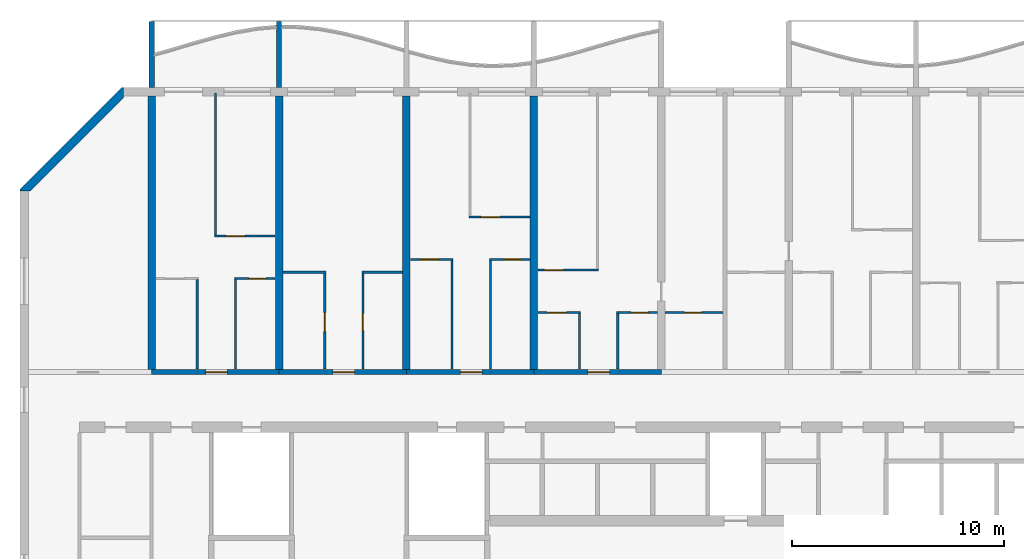
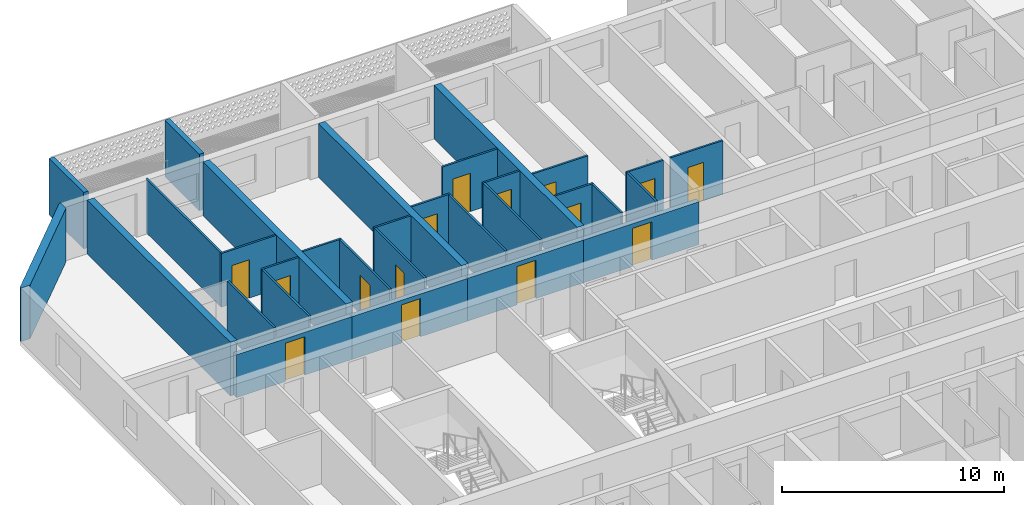
# One storey, part 9 of 24: 31 walls, 15 doors, 15 openings.
"""IFC4 building model written with IfcOpenShell, lengths in metres."""

from ifc_helpers import new_model, si_unit, direction, frame, frame_2d, origin, place, context, subcontext, project, spatial, polyline, rectangle, outline, extrude, source, transform, mapped, material, layer, layer_set, type_object, element, fill, save


model = new_model("IFC4")

# Units and contexts
model_context = context("Model", 3, precision=1e-05, world=origin(), true_north=direction((0.0, 1.0)))
body_context = subcontext(model_context, "Body", "Model", "MODEL_VIEW")
ifc_project = project(units=[si_unit("LENGTHUNIT", "METRE"), si_unit("AREAUNIT", "SQUARE_METRE"), si_unit("VOLUMEUNIT", "CUBIC_METRE"), si_unit("PLANEANGLEUNIT", "RADIAN"), si_unit("MASSUNIT", "GRAM", prefix="KILO")], contexts=[model_context])

# Site, building, storey
site_placement = place(None, origin())
site = spatial("IfcSite", under=ifc_project, at=site_placement, CompositionType="ELEMENT")
building_placement = place(site_placement, origin())
building = spatial("IfcBuilding", under=site, at=building_placement, Name="Poui Terraces", CompositionType="ELEMENT")
storey_placement = place(building_placement, frame((0.0, 0.0, 112.5)))
storey = spatial("IfcBuildingStorey", under=building, at=storey_placement, Name="L31", CompositionType="ELEMENT", Elevation=112.5)

# Wall, opening, door
ifc_material_1 = material(Name="Concrete 65 MPa", Category="concrete")
ifc_layer_1 = layer(ifc_material_1, 0.25)
ifc_layer_set_1 = layer_set([ifc_layer_1], Name="Concrete 65 MPa")
wall_type_1 = type_object("IfcWallType", Name="CORRIDOR WALL 250 65MPa", PredefinedType="SHEAR", material=ifc_layer_set_1)
wall_1_placement = place(storey_placement, frame((18.0, 30.39990234375, 0.0), z_axis=(0.0, 0.0, 1.0), x_axis=(1.0, 0.0, 0.0)))
wall_1 = element("IfcWall", 1, at=wall_1_placement, inside=storey, type_object=wall_type_1, Name="CORRIDOR WALL LINE E BAY 2", PredefinedType="SHEAR", context=body_context, shape_type="SweptSolid", body=[
    extrude(rectangle(XDim=6.0, YDim=0.25, at=frame_2d((3.0, 0.0))), origin(), (0.0, 0.0, 1.0), 2.35009765625),
])
opening_1_placement = place(wall_1_placement, frame((2.550048828125, 0.0, 0.0)))
opening_1 = element("IfcOpeningElement", 2, at=opening_1_placement, cuts=wall_1, Name="Opening FD30S", PredefinedType="OPENING", context=body_context, shape_type="SweptSolid", body=[
    extrude(rectangle(XDim=1.0, YDim=2.10009765625, at=frame_2d((0.5, 1.050048828125))), frame((0.0, 0.135009765625, 0.0), z_axis=(0.0, -1.0, 0.0), x_axis=(1.0, 0.0, 0.0)), (0.0, 0.0, 1.0), 0.27001953125),
])
ifc_material_2 = material(Name="Steel fire door", Category="steel")
door_type_1 = type_object("IfcDoorType", Name="FLAT ENTRANCE DOOR 1000 X 2100", OperationType="NOTDEFINED", PredefinedType="DOOR", material=ifc_material_2)
door_1_placement = place(opening_1_placement, origin())
door_1 = element("IfcDoor", 3, at=door_1_placement, inside=storey, type_object=door_type_1, Name="FLAT ENTRANCE DOOR 032", OperationType="SINGLE_SWING_RIGHT", OverallHeight=2.10009765625, OverallWidth=1.0, PredefinedType="DOOR", context=body_context, shape_type="SweptSolid", body=[
    extrude(rectangle(XDim=1.0, YDim=2.10009765625, at=frame_2d((0.5, 1.050048828125))), frame((0.0, 0.02490234375, 0.0), z_axis=(0.0, -1.0, 0.0), x_axis=(1.0, 0.0, 0.0)), (0.0, 0.0, 1.0), 0.050048828125),
])
fill(opening_1, door_1)

wall_2_placement = place(storey_placement, frame((24.0, 30.39990234375, 0.0), z_axis=(0.0, 0.0, 1.0), x_axis=(1.0, 0.0, 0.0)))
wall_2 = element("IfcWall", 4, at=wall_2_placement, inside=storey, type_object=wall_type_1, Name="CORRIDOR WALL LINE E BAY 3", PredefinedType="SHEAR", context=body_context, shape_type="SweptSolid", body=[
    extrude(rectangle(XDim=6.0, YDim=0.25, at=frame_2d((3.0, 0.0))), origin(), (0.0, 0.0, 1.0), 2.35009765625),
])
opening_2_placement = place(wall_2_placement, frame((2.550048828125, 0.0, 0.0)))
opening_2 = element("IfcOpeningElement", 5, at=opening_2_placement, cuts=wall_2, Name="Opening FD30S", PredefinedType="OPENING", context=body_context, shape_type="SweptSolid", body=[
    extrude(rectangle(XDim=1.0, YDim=2.10009765625, at=frame_2d((0.5, 1.050048828125))), frame((0.0, 0.135009765625, 0.0), z_axis=(0.0, -1.0, 0.0), x_axis=(1.0, 0.0, 0.0)), (0.0, 0.0, 1.0), 0.27001953125),
])
door_2_placement = place(opening_2_placement, origin())
door_2 = element("IfcDoor", 6, at=door_2_placement, inside=storey, type_object=door_type_1, Name="FLAT ENTRANCE DOOR 036", OperationType="SINGLE_SWING_RIGHT", OverallHeight=2.10009765625, OverallWidth=1.0, PredefinedType="DOOR", context=body_context, shape_type="SweptSolid", body=[
    extrude(rectangle(XDim=1.0, YDim=2.10009765625, at=frame_2d((0.5, 1.050048828125))), frame((0.0, 0.02490234375, 0.0), z_axis=(0.0, -1.0, 0.0), x_axis=(1.0, 0.0, 0.0)), (0.0, 0.0, 1.0), 0.050048828125),
])
fill(opening_2, door_2)

wall_3_placement = place(storey_placement, frame((30.0, 30.39990234375, 0.0), z_axis=(0.0, 0.0, 1.0), x_axis=(1.0, 0.0, 0.0)))
wall_3 = element("IfcWall", 7, at=wall_3_placement, inside=storey, type_object=wall_type_1, Name="CORRIDOR WALL LINE E BAY 4", PredefinedType="SHEAR", context=body_context, shape_type="SweptSolid", body=[
    extrude(rectangle(XDim=6.0, YDim=0.25, at=frame_2d((3.0, 0.0))), origin(), (0.0, 0.0, 1.0), 2.35009765625),
])
opening_3_placement = place(wall_3_placement, frame((2.550048828125, 0.0, 0.0)))
opening_3 = element("IfcOpeningElement", 8, at=opening_3_placement, cuts=wall_3, Name="Opening FD30S", PredefinedType="OPENING", context=body_context, shape_type="SweptSolid", body=[
    extrude(rectangle(XDim=1.0, YDim=2.10009765625, at=frame_2d((0.5, 1.050048828125))), frame((0.0, 0.135009765625, 0.0), z_axis=(0.0, -1.0, 0.0), x_axis=(1.0, 0.0, 0.0)), (0.0, 0.0, 1.0), 0.27001953125),
])
door_3_placement = place(opening_3_placement, origin())
door_3 = element("IfcDoor", 9, at=door_3_placement, inside=storey, type_object=door_type_1, Name="FLAT ENTRANCE DOOR 039", OperationType="SINGLE_SWING_RIGHT", OverallHeight=2.10009765625, OverallWidth=1.0, PredefinedType="DOOR", context=body_context, shape_type="SweptSolid", body=[
    extrude(rectangle(XDim=1.0, YDim=2.10009765625, at=frame_2d((0.5, 1.050048828125))), frame((0.0, 0.02490234375, 0.0), z_axis=(0.0, -1.0, 0.0), x_axis=(1.0, 0.0, 0.0)), (0.0, 0.0, 1.0), 0.050048828125),
])
fill(opening_3, door_3)

wall_4_placement = place(storey_placement, frame((36.0, 30.39990234375, 0.0), z_axis=(0.0, 0.0, 1.0), x_axis=(1.0, 0.0, 0.0)))
wall_4 = element("IfcWall", 10, at=wall_4_placement, inside=storey, type_object=wall_type_1, Name="CORRIDOR WALL LINE E BAY 5", PredefinedType="SHEAR", context=body_context, shape_type="SweptSolid", body=[
    extrude(rectangle(XDim=6.0, YDim=0.25, at=frame_2d((3.0, 0.0))), origin(), (0.0, 0.0, 1.0), 2.35009765625),
])
opening_4_placement = place(wall_4_placement, frame((2.550048828125, 0.0, 0.0)))
opening_4 = element("IfcOpeningElement", 11, at=opening_4_placement, cuts=wall_4, Name="Opening FD30S", PredefinedType="OPENING", context=body_context, shape_type="SweptSolid", body=[
    extrude(rectangle(XDim=1.0, YDim=2.10009765625, at=frame_2d((0.5, 1.050048828125))), frame((0.0, 0.135009765625, 0.0), z_axis=(0.0, -1.0, 0.0), x_axis=(1.0, 0.0, 0.0)), (0.0, 0.0, 1.0), 0.27001953125),
])
door_4_placement = place(opening_4_placement, origin())
door_4 = element("IfcDoor", 12, at=door_4_placement, inside=storey, type_object=door_type_1, Name="FLAT ENTRANCE DOOR 045", OperationType="SINGLE_SWING_RIGHT", OverallHeight=2.10009765625, OverallWidth=1.0, PredefinedType="DOOR", context=body_context, shape_type="SweptSolid", body=[
    extrude(rectangle(XDim=1.0, YDim=2.10009765625, at=frame_2d((0.5, 1.050048828125))), frame((0.0, 0.02490234375, 0.0), z_axis=(0.0, -1.0, 0.0), x_axis=(1.0, 0.0, 0.0)), (0.0, 0.0, 1.0), 0.050048828125),
])
fill(opening_4, door_4)

# Walls
ifc_layer_2 = layer(ifc_material_1, 0.35009765625)
ifc_layer_set_2 = layer_set([ifc_layer_2], Name="Concrete 65 MPa")
wall_type_2 = type_object("IfcWallType", Name="CROSS WALL 350 65MPa", PredefinedType="SHEAR", material=ifc_layer_set_2)
for number, where, z_axis, x_axis, name in (
    (13, (18.0, 30.52490234375, 0.0), (0.0, 0.0, 1.0), (0.0, 1.0, 0.0), "CROSS WALL LINE 4 NORTH"),
    (14, (24.0, 30.52490234375, 0.0), (0.0, 0.0, 1.0), (0.0, 1.0, 0.0), "CROSS WALL LINE 5 NORTH"),
    (15, (30.0, 30.52490234375, 0.0), (0.0, 0.0, 1.0), (0.0, 1.0, 0.0), "CROSS WALL LINE 6 NORTH"),
    (16, (36.0, 30.52490234375, 0.0), (0.0, 0.0, 1.0), (0.0, 1.0, 0.0), "CROSS WALL LINE 7 NORTH"),
):
    element("IfcWall", number, at=place(storey_placement, frame(where, z_axis=z_axis, x_axis=x_axis)), inside=storey, type_object=wall_type_2, Name=name, PredefinedType="SHEAR", context=body_context, shape_type="SweptSolid", body=[
        extrude(rectangle(XDim=12.875, YDim=0.35009765625, at=frame_2d((6.4375, 0.0))), origin(), (0.0, 0.0, 1.0), 2.949951171875),
    ])

# Wall, opening, door
ifc_material_3 = material(Name="Plasterboard partition")
ifc_layer_3 = layer(ifc_material_3, 0.10009765625)
ifc_layer_set_3 = layer_set([ifc_layer_3], Name="Plasterboard partition")
wall_type_3 = type_object("IfcWallType", Name="FLAT PARTITION 100", PredefinedType="PARTITIONING", material=ifc_layer_set_3)
wall_5_placement = place(storey_placement, frame((36.18505859375, 33.199951171875, 0.0), z_axis=(0.0, 0.0, 1.0), x_axis=(1.0, 0.0, 0.0)))
wall_5 = element("IfcWall", 17, at=wall_5_placement, inside=storey, type_object=wall_type_3, Name="FLAT PARTITION 100", PredefinedType="PARTITIONING", context=body_context, shape_type="SweptSolid", body=[
    extrude(rectangle(XDim=2.014892578125, YDim=0.10009765625, at=frame_2d((1.00732421875, 0.0))), origin(), (0.0, 0.0, 1.0), 2.949951171875),
])
opening_5_placement = place(wall_5_placement, frame((0.43994140625, 0.0, 0.0)))
opening_5 = element("IfcOpeningElement", 18, at=opening_5_placement, cuts=wall_5, Name="Opening D90", PredefinedType="OPENING", context=body_context, shape_type="SweptSolid", body=[
    extrude(rectangle(XDim=0.89990234375, YDim=2.10009765625, at=frame_2d((0.449951171875, 1.050048828125))), frame((0.0, 0.06005859375, 0.0), z_axis=(0.0, -1.0, 0.0), x_axis=(1.0, 0.0, 0.0)), (0.0, 0.0, 1.0), 0.1201171875),
])
ifc_material_4 = material(Name="Solid core timber door", Category="wood")
door_type_2 = type_object("IfcDoorType", Name="INTERNAL DOOR 900 X 2100", OperationType="NOTDEFINED", PredefinedType="DOOR", material=ifc_material_4)
door_5_placement = place(opening_5_placement, frame((0.89990234375, 0.0, 0.0), z_axis=(0.0, 0.0, 1.0), x_axis=(-1.0, 0.0, 0.0)))
door_5 = element("IfcDoor", 19, at=door_5_placement, inside=storey, type_object=door_type_2, Name="INTERNAL DOOR 044", OperationType="SINGLE_SWING_RIGHT", OverallHeight=2.10009765625, OverallWidth=0.89990234375, PredefinedType="DOOR", context=body_context, shape_type="SweptSolid", body=[
    extrude(rectangle(XDim=0.89990234375, YDim=2.10009765625, at=frame_2d((0.449951171875, 1.050048828125))), frame((0.0, 0.02490234375, 0.0), z_axis=(0.0, -1.0, 0.0), x_axis=(1.0, 0.0, 0.0)), (0.0, 0.0, 1.0), 0.050048828125),
])
fill(opening_5, door_5)

wall_6_placement = place(storey_placement, frame((39.89990234375, 33.199951171875, 0.0), z_axis=(0.0, 0.0, 1.0), x_axis=(1.0, 0.0, 0.0)))
wall_6 = element("IfcWall", 20, at=wall_6_placement, inside=storey, type_object=wall_type_3, Name="FLAT PARTITION 100", PredefinedType="PARTITIONING", context=body_context, shape_type="SweptSolid", body=[
    extrude(rectangle(XDim=1.9150390625, YDim=0.10009765625, at=frame_2d((0.95751953125, 0.0))), origin(), (0.0, 0.0, 1.0), 2.949951171875),
])
opening_6_placement = place(wall_6_placement, frame((0.675048828125, 0.0, 0.0)))
opening_6 = element("IfcOpeningElement", 21, at=opening_6_placement, cuts=wall_6, Name="Opening D80", PredefinedType="OPENING", context=body_context, shape_type="SweptSolid", body=[
    extrude(rectangle(XDim=0.800048828125, YDim=2.10009765625, at=frame_2d((0.39990234375, 1.050048828125))), frame((0.0, 0.06005859375, 0.0), z_axis=(0.0, -1.0, 0.0), x_axis=(1.0, 0.0, 0.0)), (0.0, 0.0, 1.0), 0.1201171875),
])
door_type_3 = type_object("IfcDoorType", Name="BATHROOM, LAUNDRY AND STORE DOOR 800 X 2100", OperationType="NOTDEFINED", PredefinedType="DOOR", material=ifc_material_4)
door_6_placement = place(opening_6_placement, frame((0.800048828125, 0.0, 0.0), z_axis=(0.0, 0.0, 1.0), x_axis=(-1.0, 0.0, 0.0)))
door_6 = element("IfcDoor", 22, at=door_6_placement, inside=storey, type_object=door_type_3, Name="BATHROOM, LAUNDRY AND STORE DOOR 046", OperationType="SINGLE_SWING_LEFT", OverallHeight=2.10009765625, OverallWidth=0.800048828125, PredefinedType="DOOR", context=body_context, shape_type="SweptSolid", body=[
    extrude(rectangle(XDim=0.800048828125, YDim=2.10009765625, at=frame_2d((0.39990234375, 1.050048828125))), frame((0.0, 0.02490234375, 0.0), z_axis=(0.0, -1.0, 0.0), x_axis=(1.0, 0.0, 0.0)), (0.0, 0.0, 1.0), 0.050048828125),
])
fill(opening_6, door_6)

wall_7_placement = place(storey_placement, frame((42.18505859375, 33.199951171875, 0.0), z_axis=(0.0, 0.0, 1.0), x_axis=(1.0, 0.0, 0.0)))
wall_7 = element("IfcWall", 23, at=wall_7_placement, inside=storey, type_object=wall_type_3, Name="FLAT PARTITION 100", PredefinedType="PARTITIONING", context=body_context, shape_type="SweptSolid", body=[
    extrude(rectangle(XDim=2.71484375, YDim=0.10009765625, at=frame_2d((1.357421875, 0.0))), origin(), (0.0, 0.0, 1.0), 2.949951171875),
])
opening_7_placement = place(wall_7_placement, frame((0.9150390625, 0.0, 0.0)))
opening_7 = element("IfcOpeningElement", 24, at=opening_7_placement, cuts=wall_7, Name="Opening D80", PredefinedType="OPENING", context=body_context, shape_type="SweptSolid", body=[
    extrude(rectangle(XDim=0.800048828125, YDim=2.10009765625, at=frame_2d((0.39990234375, 1.050048828125))), frame((0.0, 0.06005859375, 0.0), z_axis=(0.0, -1.0, 0.0), x_axis=(1.0, 0.0, 0.0)), (0.0, 0.0, 1.0), 0.1201171875),
])
door_7_placement = place(opening_7_placement, frame((0.800048828125, 0.0, 0.0), z_axis=(0.0, 0.0, 1.0), x_axis=(-1.0, 0.0, 0.0)))
door_7 = element("IfcDoor", 25, at=door_7_placement, inside=storey, type_object=door_type_3, Name="BATHROOM, LAUNDRY AND STORE DOOR 042", OperationType="SINGLE_SWING_RIGHT", OverallHeight=2.10009765625, OverallWidth=0.800048828125, PredefinedType="DOOR", context=body_context, shape_type="SweptSolid", body=[
    extrude(rectangle(XDim=0.800048828125, YDim=2.10009765625, at=frame_2d((0.39990234375, 1.050048828125))), frame((0.0, 0.02490234375, 0.0), z_axis=(0.0, -1.0, 0.0), x_axis=(1.0, 0.0, 0.0)), (0.0, 0.0, 1.0), 0.050048828125),
])
fill(opening_7, door_7)

wall_8_placement = place(storey_placement, frame((21.89990234375, 34.800048828125, 0.0), z_axis=(0.0, 0.0, 1.0), x_axis=(1.0, 0.0, 0.0)))
wall_8 = element("IfcWall", 26, at=wall_8_placement, inside=storey, type_object=wall_type_3, Name="FLAT PARTITION 100", PredefinedType="PARTITIONING", context=body_context, shape_type="SweptSolid", body=[
    extrude(rectangle(XDim=1.9150390625, YDim=0.10009765625, at=frame_2d((0.95751953125, 0.0))), origin(), (0.0, 0.0, 1.0), 2.949951171875),
])
opening_8_placement = place(wall_8_placement, frame((0.675048828125, 0.0, 0.0)))
opening_8 = element("IfcOpeningElement", 27, at=opening_8_placement, cuts=wall_8, Name="Opening D80", PredefinedType="OPENING", context=body_context, shape_type="SweptSolid", body=[
    extrude(rectangle(XDim=0.800048828125, YDim=2.10009765625, at=frame_2d((0.39990234375, 1.050048828125))), frame((0.0, 0.06005859375, 0.0), z_axis=(0.0, -1.0, 0.0), x_axis=(1.0, 0.0, 0.0)), (0.0, 0.0, 1.0), 0.1201171875),
])
door_8_placement = place(opening_8_placement, frame((0.800048828125, 0.0, 0.0), z_axis=(0.0, 0.0, 1.0), x_axis=(-1.0, 0.0, 0.0)))
door_8 = element("IfcDoor", 28, at=door_8_placement, inside=storey, type_object=door_type_3, Name="BATHROOM, LAUNDRY AND STORE DOOR 034", OperationType="SINGLE_SWING_RIGHT", OverallHeight=2.10009765625, OverallWidth=0.800048828125, PredefinedType="DOOR", context=body_context, shape_type="SweptSolid", body=[
    extrude(rectangle(XDim=0.800048828125, YDim=2.10009765625, at=frame_2d((0.39990234375, 1.050048828125))), frame((0.0, 0.02490234375, 0.0), z_axis=(0.0, -1.0, 0.0), x_axis=(1.0, 0.0, 0.0)), (0.0, 0.0, 1.0), 0.050048828125),
])
fill(opening_8, door_8)

# Walls
wall_9_placement = place(storey_placement, frame((24.18505859375, 35.10009765625, 0.0), z_axis=(0.0, 0.0, 1.0), x_axis=(1.0, 0.0, 0.0)))
element("IfcWall", 29, at=wall_9_placement, inside=storey, type_object=wall_type_3, Name="FLAT PARTITION 100", PredefinedType="PARTITIONING", context=body_context, shape_type="SweptSolid", body=[
    extrude(rectangle(XDim=2.014892578125, YDim=0.10009765625, at=frame_2d((1.00732421875, 0.0))), origin(), (0.0, 0.0, 1.0), 2.949951171875),
])
wall_10_placement = place(storey_placement, frame((27.89990234375, 35.10009765625, 0.0), z_axis=(0.0, 0.0, 1.0), x_axis=(1.0, 0.0, 0.0)))
element("IfcWall", 30, at=wall_10_placement, inside=storey, type_object=wall_type_3, Name="FLAT PARTITION 100", PredefinedType="PARTITIONING", context=body_context, shape_type="SweptSolid", body=[
    extrude(rectangle(XDim=1.9150390625, YDim=0.10009765625, at=frame_2d((0.95751953125, 0.0))), origin(), (0.0, 0.0, 1.0), 2.949951171875),
])

# Wall, opening, door
wall_11_placement = place(storey_placement, frame((36.18505859375, 35.199951171875, 0.0), z_axis=(0.0, 0.0, 1.0), x_axis=(1.0, 0.0, 0.0)))
wall_11 = element("IfcWall", 31, at=wall_11_placement, inside=storey, type_object=wall_type_3, Name="FLAT PARTITION 100", PredefinedType="PARTITIONING", context=body_context, shape_type="SweptSolid", body=[
    extrude(rectangle(XDim=2.864990234375, YDim=0.10009765625, at=frame_2d((1.4326171875, 0.0))), origin(), (0.0, 0.0, 1.0), 2.949951171875),
])
opening_9_placement = place(wall_11_placement, frame((0.31494140625, 0.0, 0.0)))
opening_9 = element("IfcOpeningElement", 32, at=opening_9_placement, cuts=wall_11, Name="Opening D90", PredefinedType="OPENING", context=body_context, shape_type="SweptSolid", body=[
    extrude(rectangle(XDim=0.89990234375, YDim=2.10009765625, at=frame_2d((0.449951171875, 1.050048828125))), frame((0.0, 0.06005859375, 0.0), z_axis=(0.0, -1.0, 0.0), x_axis=(1.0, 0.0, 0.0)), (0.0, 0.0, 1.0), 0.1201171875),
])
door_9_placement = place(opening_9_placement, frame((0.89990234375, 0.0, 0.0), z_axis=(0.0, 0.0, 1.0), x_axis=(-1.0, 0.0, 0.0)))
door_9 = element("IfcDoor", 33, at=door_9_placement, inside=storey, type_object=door_type_2, Name="INTERNAL DOOR 043", OperationType="SINGLE_SWING_LEFT", OverallHeight=2.10009765625, OverallWidth=0.89990234375, PredefinedType="DOOR", context=body_context, shape_type="SweptSolid", body=[
    extrude(rectangle(XDim=0.89990234375, YDim=2.10009765625, at=frame_2d((0.449951171875, 1.050048828125))), frame((0.0, 0.02490234375, 0.0), z_axis=(0.0, -1.0, 0.0), x_axis=(1.0, 0.0, 0.0)), (0.0, 0.0, 1.0), 0.050048828125),
])
fill(opening_9, door_9)

wall_12_placement = place(storey_placement, frame((30.18505859375, 35.699951171875, 0.0), z_axis=(0.0, 0.0, 1.0), x_axis=(1.0, 0.0, 0.0)))
wall_12 = element("IfcWall", 34, at=wall_12_placement, inside=storey, type_object=wall_type_3, Name="FLAT PARTITION 100", PredefinedType="PARTITIONING", context=body_context, shape_type="SweptSolid", body=[
    extrude(rectangle(XDim=2.014892578125, YDim=0.10009765625, at=frame_2d((1.00732421875, 0.0))), origin(), (0.0, 0.0, 1.0), 2.949951171875),
])
opening_10_placement = place(wall_12_placement, frame((0.43994140625, 0.0, 0.0)))
opening_10 = element("IfcOpeningElement", 35, at=opening_10_placement, cuts=wall_12, Name="Opening D90", PredefinedType="OPENING", context=body_context, shape_type="SweptSolid", body=[
    extrude(rectangle(XDim=0.89990234375, YDim=2.10009765625, at=frame_2d((0.449951171875, 1.050048828125))), frame((0.0, 0.06005859375, 0.0), z_axis=(0.0, -1.0, 0.0), x_axis=(1.0, 0.0, 0.0)), (0.0, 0.0, 1.0), 0.1201171875),
])
door_10_placement = place(opening_10_placement, frame((0.89990234375, 0.0, 0.0), z_axis=(0.0, 0.0, 1.0), x_axis=(-1.0, 0.0, 0.0)))
door_10 = element("IfcDoor", 36, at=door_10_placement, inside=storey, type_object=door_type_2, Name="INTERNAL DOOR 038", OperationType="SINGLE_SWING_LEFT", OverallHeight=2.10009765625, OverallWidth=0.89990234375, PredefinedType="DOOR", context=body_context, shape_type="SweptSolid", body=[
    extrude(rectangle(XDim=0.89990234375, YDim=2.10009765625, at=frame_2d((0.449951171875, 1.050048828125))), frame((0.0, 0.02490234375, 0.0), z_axis=(0.0, -1.0, 0.0), x_axis=(1.0, 0.0, 0.0)), (0.0, 0.0, 1.0), 0.050048828125),
])
fill(opening_10, door_10)

wall_13_placement = place(storey_placement, frame((33.89990234375, 35.699951171875, 0.0), z_axis=(0.0, 0.0, 1.0), x_axis=(1.0, 0.0, 0.0)))
wall_13 = element("IfcWall", 37, at=wall_13_placement, inside=storey, type_object=wall_type_3, Name="FLAT PARTITION 100", PredefinedType="PARTITIONING", context=body_context, shape_type="SweptSolid", body=[
    extrude(rectangle(XDim=1.9150390625, YDim=0.10009765625, at=frame_2d((0.95751953125, 0.0))), origin(), (0.0, 0.0, 1.0), 2.949951171875),
])
opening_11_placement = place(wall_13_placement, frame((0.675048828125, 0.0, 0.0)))
opening_11 = element("IfcOpeningElement", 38, at=opening_11_placement, cuts=wall_13, Name="Opening D80", PredefinedType="OPENING", context=body_context, shape_type="SweptSolid", body=[
    extrude(rectangle(XDim=0.800048828125, YDim=2.10009765625, at=frame_2d((0.39990234375, 1.050048828125))), frame((0.0, 0.06005859375, 0.0), z_axis=(0.0, -1.0, 0.0), x_axis=(1.0, 0.0, 0.0)), (0.0, 0.0, 1.0), 0.1201171875),
])
door_11_placement = place(opening_11_placement, frame((0.800048828125, 0.0, 0.0), z_axis=(0.0, 0.0, 1.0), x_axis=(-1.0, 0.0, 0.0)))
door_11 = element("IfcDoor", 39, at=door_11_placement, inside=storey, type_object=door_type_3, Name="BATHROOM, LAUNDRY AND STORE DOOR 041", OperationType="SINGLE_SWING_RIGHT", OverallHeight=2.10009765625, OverallWidth=0.800048828125, PredefinedType="DOOR", context=body_context, shape_type="SweptSolid", body=[
    extrude(rectangle(XDim=0.800048828125, YDim=2.10009765625, at=frame_2d((0.39990234375, 1.050048828125))), frame((0.0, 0.02490234375, 0.0), z_axis=(0.0, -1.0, 0.0), x_axis=(1.0, 0.0, 0.0)), (0.0, 0.0, 1.0), 0.050048828125),
])
fill(opening_11, door_11)

wall_14_placement = place(storey_placement, frame((20.949951171875, 36.800048828125, 0.0), z_axis=(0.0, 0.0, 1.0), x_axis=(1.0, 0.0, 0.0)))
wall_14 = element("IfcWall", 40, at=wall_14_placement, inside=storey, type_object=wall_type_3, Name="FLAT PARTITION 100", PredefinedType="PARTITIONING", context=body_context, shape_type="SweptSolid", body=[
    extrude(rectangle(XDim=2.864990234375, YDim=0.10009765625, at=frame_2d((1.4326171875, 0.0))), origin(), (0.0, 0.0, 1.0), 2.949951171875),
])
opening_12_placement = place(wall_14_placement, frame((0.550048828125, 0.0, 0.0)))
opening_12 = element("IfcOpeningElement", 41, at=opening_12_placement, cuts=wall_14, Name="Opening D90", PredefinedType="OPENING", context=body_context, shape_type="SweptSolid", body=[
    extrude(rectangle(XDim=0.89990234375, YDim=2.10009765625, at=frame_2d((0.449951171875, 1.050048828125))), frame((0.0, 0.06005859375, 0.0), z_axis=(0.0, -1.0, 0.0), x_axis=(1.0, 0.0, 0.0)), (0.0, 0.0, 1.0), 0.1201171875),
])
door_12_placement = place(opening_12_placement, frame((0.89990234375, 0.0, 0.0), z_axis=(0.0, 0.0, 1.0), x_axis=(-1.0, 0.0, 0.0)))
door_12 = element("IfcDoor", 42, at=door_12_placement, inside=storey, type_object=door_type_2, Name="INTERNAL DOOR 033", OperationType="SINGLE_SWING_LEFT", OverallHeight=2.10009765625, OverallWidth=0.89990234375, PredefinedType="DOOR", context=body_context, shape_type="SweptSolid", body=[
    extrude(rectangle(XDim=0.89990234375, YDim=2.10009765625, at=frame_2d((0.449951171875, 1.050048828125))), frame((0.0, 0.02490234375, 0.0), z_axis=(0.0, -1.0, 0.0), x_axis=(1.0, 0.0, 0.0)), (0.0, 0.0, 1.0), 0.050048828125),
])
fill(opening_12, door_12)

wall_15_placement = place(storey_placement, frame((32.949951171875, 37.699951171875, 0.0), z_axis=(0.0, 0.0, 1.0), x_axis=(1.0, 0.0, 0.0)))
wall_15 = element("IfcWall", 43, at=wall_15_placement, inside=storey, type_object=wall_type_3, Name="FLAT PARTITION 100", PredefinedType="PARTITIONING", context=body_context, shape_type="SweptSolid", body=[
    extrude(rectangle(XDim=2.864990234375, YDim=0.10009765625, at=frame_2d((1.4326171875, 0.0))), origin(), (0.0, 0.0, 1.0), 2.949951171875),
])
opening_13_placement = place(wall_15_placement, frame((0.550048828125, 0.0, 0.0)))
opening_13 = element("IfcOpeningElement", 44, at=opening_13_placement, cuts=wall_15, Name="Opening D90", PredefinedType="OPENING", context=body_context, shape_type="SweptSolid", body=[
    extrude(rectangle(XDim=0.89990234375, YDim=2.10009765625, at=frame_2d((0.449951171875, 1.050048828125))), frame((0.0, 0.06005859375, 0.0), z_axis=(0.0, -1.0, 0.0), x_axis=(1.0, 0.0, 0.0)), (0.0, 0.0, 1.0), 0.1201171875),
])
door_13_placement = place(opening_13_placement, origin())
door_13 = element("IfcDoor", 45, at=door_13_placement, inside=storey, type_object=door_type_2, Name="INTERNAL DOOR 040", OperationType="SINGLE_SWING_LEFT", OverallHeight=2.10009765625, OverallWidth=0.89990234375, PredefinedType="DOOR", context=body_context, shape_type="SweptSolid", body=[
    extrude(rectangle(XDim=0.89990234375, YDim=2.10009765625, at=frame_2d((0.449951171875, 1.050048828125))), frame((0.0, 0.02490234375, 0.0), z_axis=(0.0, -1.0, 0.0), x_axis=(1.0, 0.0, 0.0)), (0.0, 0.0, 1.0), 0.050048828125),
])
fill(opening_13, door_13)

# Walls
wall_16_placement = place(storey_placement, frame((20.14990234375, 30.534912109375, 0.0), z_axis=(0.0, 0.0, 1.0), x_axis=(0.0, 1.0, 0.0)))
element("IfcWall", 46, at=wall_16_placement, inside=storey, type_object=wall_type_3, Name="FLAT PARTITION 100", PredefinedType="PARTITIONING", context=body_context, shape_type="SweptSolid", body=[
    extrude(rectangle(XDim=4.215087890625, YDim=0.10009765625, at=frame_2d((2.107421875, 0.0))), origin(), (0.0, 0.0, 1.0), 2.949951171875),
])
wall_17_placement = place(storey_placement, frame((21.0, 36.85009765625, 0.0), z_axis=(0.0, 0.0, 1.0), x_axis=(0.0, 1.0, 0.0)))
element("IfcWall", 47, at=wall_17_placement, inside=storey, type_object=wall_type_3, Name="FLAT PARTITION 100", PredefinedType="PARTITIONING", context=body_context, shape_type="SweptSolid", body=[
    extrude(rectangle(XDim=6.68994140625, YDim=0.10009765625, at=frame_2d((3.344970703125, 0.0))), origin(), (0.0, 0.0, 1.0), 2.949951171875),
])
wall_18_placement = place(storey_placement, frame((21.949951171875, 30.534912109375, 0.0), z_axis=(0.0, 0.0, 1.0), x_axis=(0.0, 1.0, 0.0)))
element("IfcWall", 48, at=wall_18_placement, inside=storey, type_object=wall_type_3, Name="FLAT PARTITION 100", PredefinedType="PARTITIONING", context=body_context, shape_type="SweptSolid", body=[
    extrude(rectangle(XDim=4.215087890625, YDim=0.10009765625, at=frame_2d((2.107421875, 0.0))), origin(), (0.0, 0.0, 1.0), 2.949951171875),
])

# Wall, opening, door
wall_19_placement = place(storey_placement, frame((26.14990234375, 30.534912109375, 0.0), z_axis=(0.0, 0.0, 1.0), x_axis=(0.0, 1.0, 0.0)))
wall_19 = element("IfcWall", 49, at=wall_19_placement, inside=storey, type_object=wall_type_3, Name="FLAT PARTITION 100", PredefinedType="PARTITIONING", context=body_context, shape_type="SweptSolid", body=[
    extrude(rectangle(XDim=4.51513671875, YDim=0.10009765625, at=frame_2d((2.257568359375, 0.0))), origin(), (0.0, 0.0, 1.0), 2.949951171875),
])
opening_14_placement = place(wall_19_placement, frame((1.764892578125, 0.0, 0.0)))
opening_14 = element("IfcOpeningElement", 50, at=opening_14_placement, cuts=wall_19, Name="Opening D90", PredefinedType="OPENING", context=body_context, shape_type="SweptSolid", body=[
    extrude(rectangle(XDim=0.89990234375, YDim=2.10009765625, at=frame_2d((0.449951171875, 1.050048828125))), frame((0.0, 0.06005859375, 0.0), z_axis=(0.0, -1.0, 0.0), x_axis=(1.0, 0.0, 0.0)), (0.0, 0.0, 1.0), 0.1201171875),
])
door_14_placement = place(opening_14_placement, origin())
door_14 = element("IfcDoor", 51, at=door_14_placement, inside=storey, type_object=door_type_2, Name="INTERNAL DOOR 035", OperationType="SINGLE_SWING_RIGHT", OverallHeight=2.10009765625, OverallWidth=0.89990234375, PredefinedType="DOOR", context=body_context, shape_type="SweptSolid", body=[
    extrude(rectangle(XDim=0.89990234375, YDim=2.10009765625, at=frame_2d((0.449951171875, 1.050048828125))), frame((0.0, 0.02490234375, 0.0), z_axis=(0.0, -1.0, 0.0), x_axis=(1.0, 0.0, 0.0)), (0.0, 0.0, 1.0), 0.050048828125),
])
fill(opening_14, door_14)

wall_20_placement = place(storey_placement, frame((27.949951171875, 30.534912109375, 0.0), z_axis=(0.0, 0.0, 1.0), x_axis=(0.0, 1.0, 0.0)))
wall_20 = element("IfcWall", 52, at=wall_20_placement, inside=storey, type_object=wall_type_3, Name="FLAT PARTITION 100", PredefinedType="PARTITIONING", context=body_context, shape_type="SweptSolid", body=[
    extrude(rectangle(XDim=4.51513671875, YDim=0.10009765625, at=frame_2d((2.257568359375, 0.0))), origin(), (0.0, 0.0, 1.0), 2.949951171875),
])
opening_15_placement = place(wall_20_placement, frame((1.81494140625, 0.0, 0.0)))
opening_15 = element("IfcOpeningElement", 53, at=opening_15_placement, cuts=wall_20, Name="Opening D80", PredefinedType="OPENING", context=body_context, shape_type="SweptSolid", body=[
    extrude(rectangle(XDim=0.800048828125, YDim=2.10009765625, at=frame_2d((0.39990234375, 1.050048828125))), frame((0.0, 0.06005859375, 0.0), z_axis=(0.0, -1.0, 0.0), x_axis=(1.0, 0.0, 0.0)), (0.0, 0.0, 1.0), 0.1201171875),
])
door_15_placement = place(opening_15_placement, frame((0.800048828125, 0.0, 0.0), z_axis=(0.0, 0.0, 1.0), x_axis=(-1.0, 0.0, 0.0)))
door_15 = element("IfcDoor", 54, at=door_15_placement, inside=storey, type_object=door_type_3, Name="BATHROOM, LAUNDRY AND STORE DOOR 037", OperationType="SINGLE_SWING_RIGHT", OverallHeight=2.10009765625, OverallWidth=0.800048828125, PredefinedType="DOOR", context=body_context, shape_type="SweptSolid", body=[
    extrude(rectangle(XDim=0.800048828125, YDim=2.10009765625, at=frame_2d((0.39990234375, 1.050048828125))), frame((0.0, 0.02490234375, 0.0), z_axis=(0.0, -1.0, 0.0), x_axis=(1.0, 0.0, 0.0)), (0.0, 0.0, 1.0), 0.050048828125),
])
fill(opening_15, door_15)

# Walls
for number, where, z_axis, x_axis, name in (
    (55, (32.14990234375, 30.534912109375, 0.0), (0.0, 0.0, 1.0), (0.0, 1.0, 0.0), "FLAT PARTITION 100"),
    (56, (33.949951171875, 30.534912109375, 0.0), (0.0, 0.0, 1.0), (0.0, 1.0, 0.0), "FLAT PARTITION 100"),
):
    element("IfcWall", number, at=place(storey_placement, frame(where, z_axis=z_axis, x_axis=x_axis)), inside=storey, type_object=wall_type_3, Name=name, PredefinedType="PARTITIONING", context=body_context, shape_type="SweptSolid", body=[
        extrude(rectangle(XDim=5.114990234375, YDim=0.10009765625, at=frame_2d((2.5576171875, 0.0))), origin(), (0.0, 0.0, 1.0), 2.949951171875),
    ])
for number, where, z_axis, x_axis, name in (
    (57, (38.14990234375, 30.534912109375, 0.0), (0.0, 0.0, 1.0), (0.0, 1.0, 0.0), "FLAT PARTITION 100"),
    (58, (39.949951171875, 30.534912109375, 0.0), (0.0, 0.0, 1.0), (0.0, 1.0, 0.0), "FLAT PARTITION 100"),
):
    element("IfcWall", number, at=place(storey_placement, frame(where, z_axis=z_axis, x_axis=x_axis)), inside=storey, type_object=wall_type_3, Name=name, PredefinedType="PARTITIONING", context=body_context, shape_type="SweptSolid", body=[
        extrude(rectangle(XDim=2.614990234375, YDim=0.10009765625, at=frame_2d((1.3076171875, 0.0))), origin(), (0.0, 0.0, 1.0), 2.949951171875),
    ])
ifc_material_5 = material(Name="Precast concrete 40 MPa", Category="concrete")
ifc_layer_4 = layer(ifc_material_5, 0.39990234375)
ifc_layer_set_4 = layer_set([ifc_layer_4], Name="Precast concrete 40 MPa")
wall_type_4 = type_object("IfcWallType", Name="TERRACOTTA CLAD CHAMFER WALL 400", PredefinedType="STANDARD", material=ifc_layer_set_4)
wall_21_placement = place(storey_placement, origin())
element("IfcWall", 59, at=wall_21_placement, inside=storey, type_object=wall_type_4, Name="CHAMFER WALL CH05", PredefinedType="STANDARD", context=body_context, shape_type="SweptSolid", body=[
    extrude(outline(polyline([(16.682861328125, 43.800048828125), (16.60009765625, 43.800048828125), (11.800048828125, 39.0), (11.800048828125, 38.917236328125), (12.28271484375, 38.917236328125), (16.682861328125, 43.317138671875), (16.682861328125, 43.800048828125)])), origin(), (0.0, 0.0, 1.0), 2.949951171875),
])
ifc_layer_5 = layer(ifc_material_5, 0.25)
ifc_layer_set_5 = layer_set([ifc_layer_5], Name="Precast concrete 40 MPa")
wall_type_5 = type_object("IfcWallType", Name="BALCONY FIN 250", PredefinedType="STANDARD", material=ifc_layer_set_5)
shared_shape = source(origin(), body_context, "Body", "SweptSolid", [
    extrude(outline(polyline([(0.0, 0.0), (0.25, 0.0), (0.25, 3.099853515625), (0.0, 3.099853515625), (0.0, 0.0)])), origin(), (0.0, 0.0, 1.0), 3.10009765625),
])
for number, where, name in (
    (60, (17.875, 43.800048828125, 0.0), "BALCONY FIN"),
    (61, (23.875, 43.800048828125, 0.0), "BALCONY FIN"),
):
    element("IfcWall", number, at=place(storey_placement, frame(where)), inside=storey, type_object=wall_type_5, Name=name, PredefinedType="STANDARD", context=body_context, shape_type="MappedRepresentation", body=[
        mapped(shared_shape, transform((0.0, 0.0, 0.0))),
    ])

save(model, "model.ifc")
